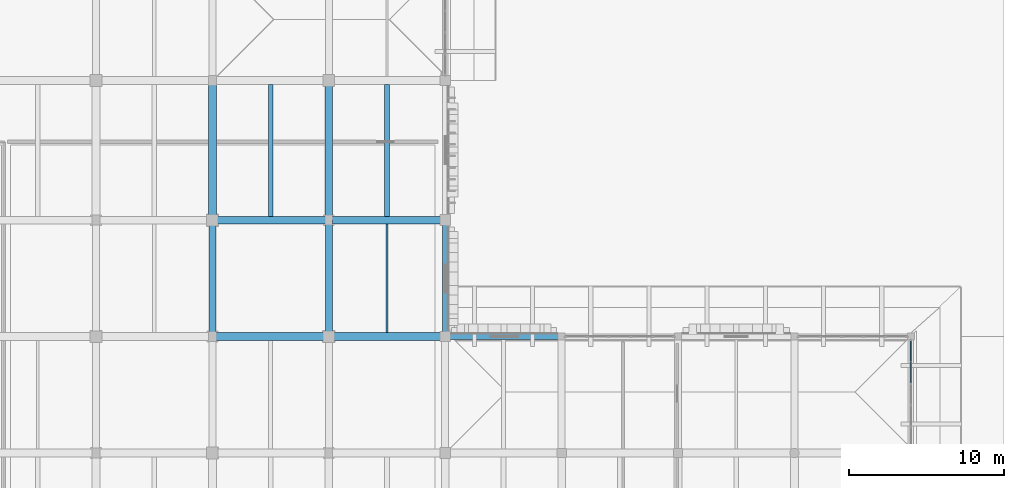
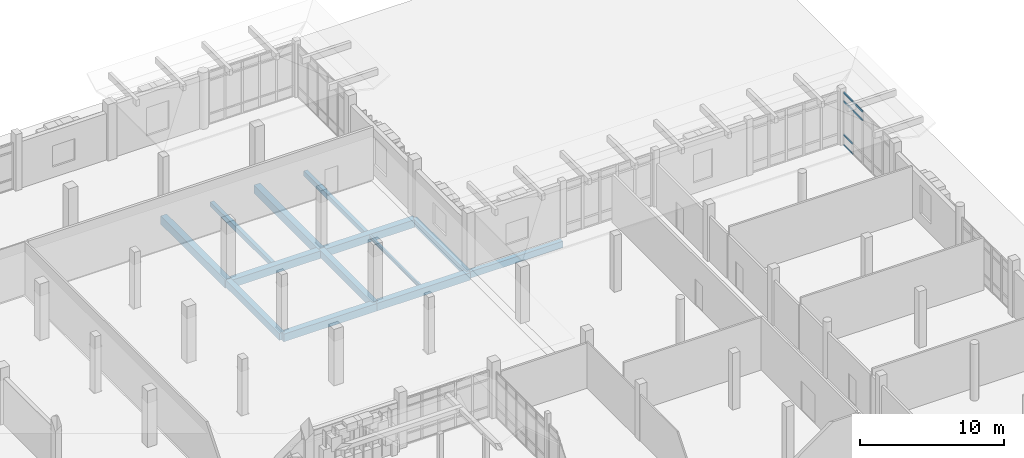
# One storey, part 66 of 125: 13 beams, 6 members, 1 element without a shape of its own.
"""IFC4 building model written with IfcOpenShell, lengths in metres."""

from ifc_helpers import new_model, si_unit, direction, frame, origin, origin_2d, place, context, subcontext, project, spatial, rectangle, i_section, extrude, material, layer, layer_set, material_profile, profile_set, type_object, element, aggregate, save


model = new_model("IFC4")

# Units and contexts
model_context = context("Model", 3, precision=1e-05, world=origin(), true_north=direction((0.0, 1.0)))
body_context = subcontext(model_context, "Body", "Model", "MODEL_VIEW")
ifc_project = project(units=[si_unit("LENGTHUNIT", "METRE"), si_unit("AREAUNIT", "SQUARE_METRE"), si_unit("VOLUMEUNIT", "CUBIC_METRE"), si_unit("PLANEANGLEUNIT", "RADIAN"), si_unit("MASSUNIT", "GRAM", prefix="KILO")], contexts=[model_context])

# Site, building, storey
site_placement = place(None, origin())
site = spatial("IfcSite", under=ifc_project, at=site_placement, CompositionType="ELEMENT")
building_placement = place(site_placement, origin())
building = spatial("IfcBuilding", under=site, at=building_placement, Name="Dalvernix Boulevard General Hospital", CompositionType="ELEMENT")
storey_placement = place(building_placement, origin())
storey = spatial("IfcBuildingStorey", under=building, at=storey_placement, Name="L00", CompositionType="ELEMENT", Elevation=0.0)

# Beams
ifc_material_1 = material(Name="Concrete C35/45", Category="concrete")
ifc_material_profile_1 = material_profile(ifc_material_1, rectangle(XDim=0.5, YDim=0.699951171875, at=origin_2d()), Name="RCB 500x700")
ifc_profile_set_1 = profile_set([ifc_material_profile_1], Name="Concrete C35/45")
beam_type_1 = type_object("IfcBeamType", Name="BM-B-01-I", PredefinedType="BEAM", material=ifc_profile_set_1)
for number, where, z_axis, x_axis, name in (
    (1, (127.5, 100.5, -0.7099609375), (0.0, 1.0, 0.0), (-1.0, 0.0, 0.0), "L00 N-S girder 18:P-Q"),
    (2, (135.0, 100.5, -0.7099609375), (0.0, 1.0, 0.0), (-1.0, 0.0, 0.0), "L00 N-S girder 19:P-Q"),
):
    element("IfcBeam", number, at=place(storey_placement, frame(where, z_axis=z_axis, x_axis=x_axis)), inside=storey, type_object=beam_type_1, Name=name, PredefinedType="BEAM", context=body_context, shape_type="SweptSolid", body=[
        extrude(rectangle(XDim=0.5, YDim=0.699951171875, at=origin_2d()), origin(), (0.0, 0.0, 1.0), 9.0),
    ])
ifc_material_profile_2 = material_profile(ifc_material_1, rectangle(XDim=0.5, YDim=0.64990234375, at=origin_2d()), Name="RCB 500x650")
ifc_profile_set_2 = profile_set([ifc_material_profile_2], Name="Concrete C35/45")
beam_type_2 = type_object("IfcBeamType", Name="BM-B-02-I", PredefinedType="BEAM", material=ifc_profile_set_2)
for number, where, z_axis, x_axis, name in (
    (3, (127.5, 93.0, -0.68505859375), (1.0, 0.0, 0.0), (0.0, 1.0, 0.0), "L00 E-W girder N:18-19"),
    (4, (135.0, 93.0, -0.68505859375), (1.0, 0.0, 0.0), (0.0, 1.0, 0.0), "L00 E-W girder N:19-20"),
    (5, (127.5, 100.5, -0.68505859375), (1.0, 0.0, 0.0), (0.0, 1.0, 0.0), "L00 E-W girder P:18-19"),
    (6, (135.0, 100.5, -0.68505859375), (1.0, 0.0, 0.0), (0.0, 1.0, 0.0), "L00 E-W girder P:19-20"),
):
    element("IfcBeam", number, at=place(storey_placement, frame(where, z_axis=z_axis, x_axis=x_axis)), inside=storey, type_object=beam_type_2, Name=name, PredefinedType="BEAM", context=body_context, shape_type="SweptSolid", body=[
        extrude(rectangle(XDim=0.5, YDim=0.64990234375, at=origin_2d()), origin(), (0.0, 0.0, 1.0), 7.5),
    ])
ifc_material_profile_3 = material_profile(ifc_material_1, rectangle(XDim=0.449951171875, YDim=0.60009765625, at=origin_2d()), Name="RCB 450x600")
ifc_profile_set_3 = profile_set([ifc_material_profile_3], Name="Concrete C35/45")
beam_type_3 = type_object("IfcBeamType", Name="BM-B-04-I", PredefinedType="BEAM", material=ifc_profile_set_3)
for number, where, z_axis, x_axis, name in (
    (7, (127.5, 93.0, -0.659912109375), (0.0, 1.0, 0.0), (-1.0, 0.0, 0.0), "L00 N-S girder 18:N-P"),
    (8, (135.0, 93.0, -0.659912109375), (0.0, 1.0, 0.0), (-1.0, 0.0, 0.0), "L00 N-S girder 19:N-P"),
):
    element("IfcBeam", number, at=place(storey_placement, frame(where, z_axis=z_axis, x_axis=x_axis)), inside=storey, type_object=beam_type_3, Name=name, PredefinedType="BEAM", context=body_context, shape_type="SweptSolid", body=[
        extrude(rectangle(XDim=0.449951171875, YDim=0.60009765625, at=origin_2d()), origin(), (0.0, 0.0, 1.0), 7.5),
    ])
ifc_material_profile_4 = material_profile(ifc_material_1, rectangle(XDim=0.300048828125, YDim=0.39990234375, at=origin_2d()), Name="RCB 300x400")
ifc_profile_set_4 = profile_set([ifc_material_profile_4], Name="Concrete C35/45")
beam_type_4 = type_object("IfcBeamType", Name="BM-JB-01", PredefinedType="JOIST", material=ifc_profile_set_4)
for number, where, z_axis, x_axis, name in (
    (9, (131.25, 100.75, -0.56005859375), (0.0, 1.0, 0.0), (-1.0, 0.0, 0.0), "L00 secondary floor beam 18-P"),
    (10, (138.75, 100.75, -0.56005859375), (0.0, 1.0, 0.0), (-1.0, 0.0, 0.0), "L00 secondary floor beam 19-P"),
):
    element("IfcBeam", number, at=place(storey_placement, frame(where, z_axis=z_axis, x_axis=x_axis)), inside=storey, type_object=beam_type_4, Name=name, PredefinedType="JOIST", context=body_context, shape_type="SweptSolid", body=[
        extrude(rectangle(XDim=0.300048828125, YDim=0.39990234375, at=origin_2d()), origin(), (0.0, 0.0, 1.0), 8.5),
    ])
ifc_material_2 = material(Name="Steel S355", Category="steel")
ifc_material_profile_5 = material_profile(ifc_material_2, i_section(OverallWidth=0.14990234375, OverallDepth=0.300048828125, WebThickness=0.007080078125, FlangeThickness=0.0107421875, FilletRadius=0.014892578125, at=origin_2d()), Name="IPE 300")
ifc_profile_set_5 = profile_set([ifc_material_profile_5], Name="Steel S355")
beam_type_5 = type_object("IfcBeamType", Name="BM-JB-03", PredefinedType="JOIST", material=ifc_profile_set_5)
beam_placement = place(storey_placement, frame((138.75, 93.25, -0.510009765625), z_axis=(0.0, 1.0, 0.0), x_axis=(-1.0, 0.0, 0.0)))
element("IfcBeam", 11, at=beam_placement, inside=storey, type_object=beam_type_5, Name="L00 secondary floor beam 19-N", PredefinedType="JOIST", context=body_context, shape_type="SweptSolid", body=[
    extrude(i_section(OverallWidth=0.14990234375, OverallDepth=0.300048828125, WebThickness=0.007080078125, FlangeThickness=0.0107421875, FilletRadius=0.014892578125, at=origin_2d()), origin(), (0.0, 0.0, 1.0), 7.0),
])
ifc_material_profile_6 = material_profile(ifc_material_1, rectangle(XDim=0.35009765625, YDim=0.550048828125, at=origin_2d()), Name="RCB 350x550")
ifc_profile_set_6 = profile_set([ifc_material_profile_6], Name="Concrete C35/45")
beam_type_6 = type_object("IfcBeamType", Name="BM-SB-01-E", PredefinedType="SPANDREL", material=ifc_profile_set_6)
for number, where, z_axis, x_axis, name in (
    (12, (142.5, 93.0, -0.635009765625), (1.0, 0.0, 0.0), (0.0, 1.0, 0.0), "L00 E-W girder N:20-21"),
    (13, (142.5, 93.0, -0.635009765625), (0.0, 1.0, 0.0), (-1.0, 0.0, 0.0), "L00 N-S girder 20:N-P"),
):
    element("IfcBeam", number, at=place(storey_placement, frame(where, z_axis=z_axis, x_axis=x_axis)), inside=storey, type_object=beam_type_6, Name=name, PredefinedType="SPANDREL", context=body_context, shape_type="SweptSolid", body=[
        extrude(rectangle(XDim=0.35009765625, YDim=0.550048828125, at=origin_2d()), origin(), (0.0, 0.0, 1.0), 7.5),
    ])

# Curtain wall, members
ifc_material_3 = material(Name="Thermally broken aluminium and solar-control glass curtain wall", Category="aluminium")
ifc_layer = layer(ifc_material_3, 0.179931640625)
ifc_layer_set = layer_set([ifc_layer], Name="Thermally broken aluminium and solar-control glass curtain wall (CW-CW-B-70x45)")
curtain_wall_type = type_object("IfcCurtainWallType", Name="CW-CW-B-70x45", PredefinedType="USERDEFINED", material=ifc_layer_set)
curtain_wall_placement = place(storey_placement, origin())
curtain_wall = element("IfcCurtainWall", 14, at=curtain_wall_placement, inside=storey, type_object=curtain_wall_type, Name="L00 curtain wall CW-B-70x45 23-11", ObjectType="GLAZED FACADE", PredefinedType="USERDEFINED")
ifc_material_4 = material(Name="Aluminium EN AW-6060", Category="aluminium")
ifc_material_profile_7 = material_profile(ifc_material_4, rectangle(XDim=0.06494140625, YDim=0.139892578125, at=origin_2d()), Name="ALU TRAN 65x140")
ifc_profile_set_7 = profile_set([ifc_material_profile_7], Name="Aluminium EN AW-6060")
member_type = type_object("IfcMemberType", Name="MEM-CW-T2", PredefinedType="USERDEFINED", material=ifc_profile_set_7)
member_1_placement = place(storey_placement, frame((172.5, 92.699951171875, 0.032470703125), z_axis=(0.0, -1.0, 0.0), x_axis=(1.0, 0.0, 0.0)))
member_1 = element("IfcMember", 15, at=member_1_placement, type_object=member_type, Name="CW-B-70x45 transom 1.1", ObjectType="TRANSOM", PredefinedType="USERDEFINED", context=body_context, shape_type="SweptSolid", body=[
    extrude(rectangle(XDim=0.06494140625, YDim=0.139892578125, at=origin_2d()), origin(), (0.0, 0.0, 1.0), 1.29345703125),
])
member_2_placement = place(storey_placement, frame((172.5, 92.699951171875, 0.89990234375), z_axis=(0.0, -1.0, 0.0), x_axis=(1.0, 0.0, 0.0)))
member_2 = element("IfcMember", 16, at=member_2_placement, type_object=member_type, Name="CW-B-70x45 transom 1.2", ObjectType="TRANSOM", PredefinedType="USERDEFINED", context=body_context, shape_type="SweptSolid", body=[
    extrude(rectangle(XDim=0.06494140625, YDim=0.139892578125, at=origin_2d()), origin(), (0.0, 0.0, 1.0), 1.29345703125),
])
member_3_placement = place(storey_placement, frame((172.5, 92.699951171875, 3.75), z_axis=(0.0, -1.0, 0.0), x_axis=(1.0, 0.0, 0.0)))
member_3 = element("IfcMember", 17, at=member_3_placement, type_object=member_type, Name="CW-B-70x45 transom 1.3", ObjectType="TRANSOM", PredefinedType="USERDEFINED", context=body_context, shape_type="SweptSolid", body=[
    extrude(rectangle(XDim=0.06494140625, YDim=0.139892578125, at=origin_2d()), origin(), (0.0, 0.0, 1.0), 1.29345703125),
])
member_4_placement = place(storey_placement, frame((172.5, 92.699951171875, 4.467529296875), z_axis=(0.0, -1.0, 0.0), x_axis=(1.0, 0.0, 0.0)))
member_4 = element("IfcMember", 18, at=member_4_placement, type_object=member_type, Name="CW-B-70x45 transom 1.4", ObjectType="TRANSOM", PredefinedType="USERDEFINED", context=body_context, shape_type="SweptSolid", body=[
    extrude(rectangle(XDim=0.06494140625, YDim=0.139892578125, at=origin_2d()), origin(), (0.0, 0.0, 1.0), 1.29345703125),
])
member_5_placement = place(storey_placement, frame((172.5, 91.341552734375, 3.75), z_axis=(0.0, -1.0, 0.0), x_axis=(1.0, 0.0, 0.0)))
member_5 = element("IfcMember", 19, at=member_5_placement, type_object=member_type, Name="CW-B-70x45 transom 2.3", ObjectType="TRANSOM", PredefinedType="USERDEFINED", context=body_context, shape_type="SweptSolid", body=[
    extrude(rectangle(XDim=0.06494140625, YDim=0.139892578125, at=origin_2d()), origin(), (0.0, 0.0, 1.0), 1.326171875),
])
member_6_placement = place(storey_placement, frame((172.5, 91.341552734375, 4.467529296875), z_axis=(0.0, -1.0, 0.0), x_axis=(1.0, 0.0, 0.0)))
member_6 = element("IfcMember", 20, at=member_6_placement, type_object=member_type, Name="CW-B-70x45 transom 2.4", ObjectType="TRANSOM", PredefinedType="USERDEFINED", context=body_context, shape_type="SweptSolid", body=[
    extrude(rectangle(XDim=0.06494140625, YDim=0.139892578125, at=origin_2d()), origin(), (0.0, 0.0, 1.0), 1.326171875),
])
aggregate(curtain_wall, [member_1, member_2, member_3, member_4, member_5, member_6])

save(model, "model.ifc")
